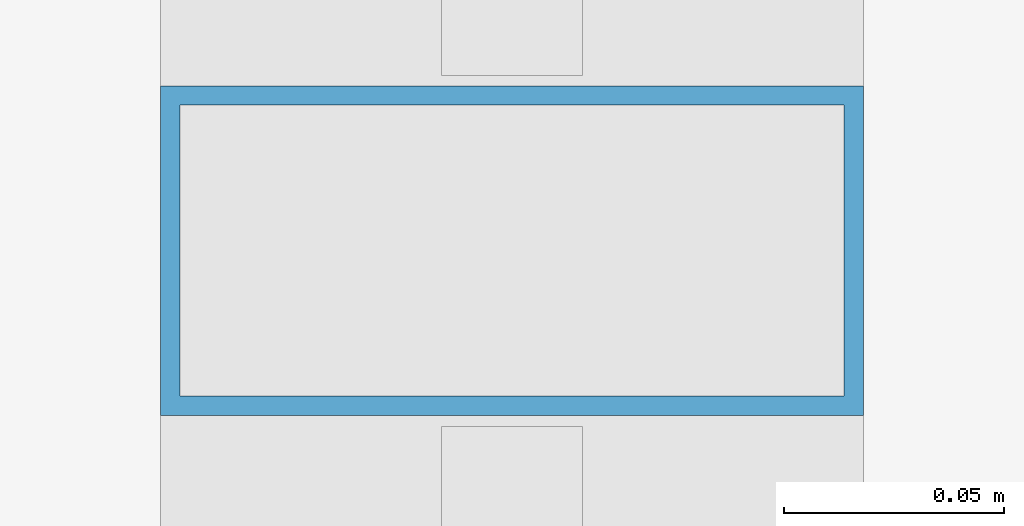
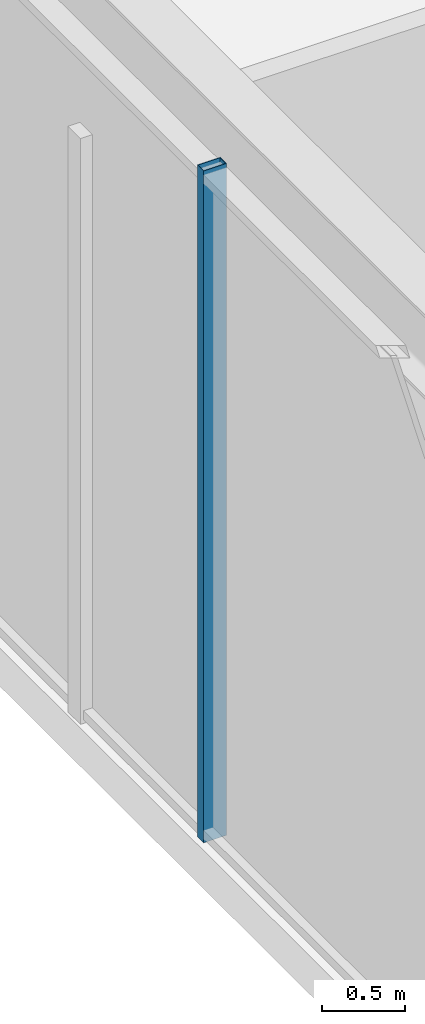
# One storey, part 6 of 49: 1 member, 1 element without a shape of its own.
"""IFC4 building model written with IfcOpenShell, lengths in metres."""

from ifc_helpers import new_model, si_unit, direction, frame, origin, origin_2d, place, context, subcontext, project, spatial, hollow_rectangle, extrude, material, material_profile, profile_set, type_object, element, aggregate, save


model = new_model("IFC4")

# Units and contexts
model_context = context("Model", 3, precision=1e-05, world=origin(), true_north=direction((0.0, 1.0)))
body_context = subcontext(model_context, "Body", "Model", "MODEL_VIEW")
ifc_project = project(units=[si_unit("LENGTHUNIT", "METRE"), si_unit("AREAUNIT", "SQUARE_METRE"), si_unit("VOLUMEUNIT", "CUBIC_METRE"), si_unit("PLANEANGLEUNIT", "RADIAN"), si_unit("MASSUNIT", "GRAM", prefix="KILO")], contexts=[model_context])

# Site, building, storey
site_placement = place(None, origin())
site = spatial("IfcSite", under=ifc_project, at=site_placement, CompositionType="ELEMENT")
building_placement = place(site_placement, origin())
building = spatial("IfcBuilding", under=site, at=building_placement, Name="Kolvaren Belvedere", CompositionType="ELEMENT")
storey_placement = place(building_placement, frame((0.0, 0.0, 10.0)))
storey = spatial("IfcBuildingStorey", under=building, at=storey_placement, Name="L03", CompositionType="ELEMENT", Elevation=10.0)

# Curtain wall, member
ifc_material_1 = material(Name="Anodised pale-metal aluminium AA 6063-T6", Category="aluminium")
curtain_wall_type = type_object("IfcCurtainWallType", Name="CW-POD-A", PredefinedType="NOTDEFINED", material=ifc_material_1)
curtain_wall_placement = place(storey_placement, origin())
curtain_wall = element("IfcCurtainWall", 1, at=curtain_wall_placement, inside=storey, type_object=curtain_wall_type, Name="L03 Unitised Curtain Wall FCW-L03-SEG8", PredefinedType="NOTDEFINED")
ifc_material_2 = material(Name="Anodised pale-metal aluminium AA 6063-T6", Category="aluminium")
ifc_material_profile = material_profile(ifc_material_2, hollow_rectangle(XDim=0.074951171875, YDim=0.159912109375, WallThickness=0.00439453125, at=origin_2d()), Name="ALU-MUL-160X75")
ifc_profile_set = profile_set([ifc_material_profile], Name="Anodised pale-metal aluminium AA 6063-T6")
member_type = type_object("IfcMemberType", Name="CW-MUL-160", PredefinedType="MULLION", material=ifc_profile_set)
member_placement = place(storey_placement, frame((-27.8798828125, -14.199951171875, 0.0), z_axis=(0.0, 0.0, 1.0), x_axis=(0.0, 1.0, 0.0)))
member = element("IfcMember", 2, at=member_placement, type_object=member_type, Name="FCW-L03-SEG8 Unitised Mullion 2", PredefinedType="MULLION", context=body_context, shape_type="SweptSolid", body=[
    extrude(hollow_rectangle(XDim=0.074951171875, YDim=0.159912109375, WallThickness=0.00439453125, at=origin_2d()), origin(), (0.0, 0.0, 1.0), 4.919921875),
])
aggregate(curtain_wall, [member])

save(model, "model.ifc")
